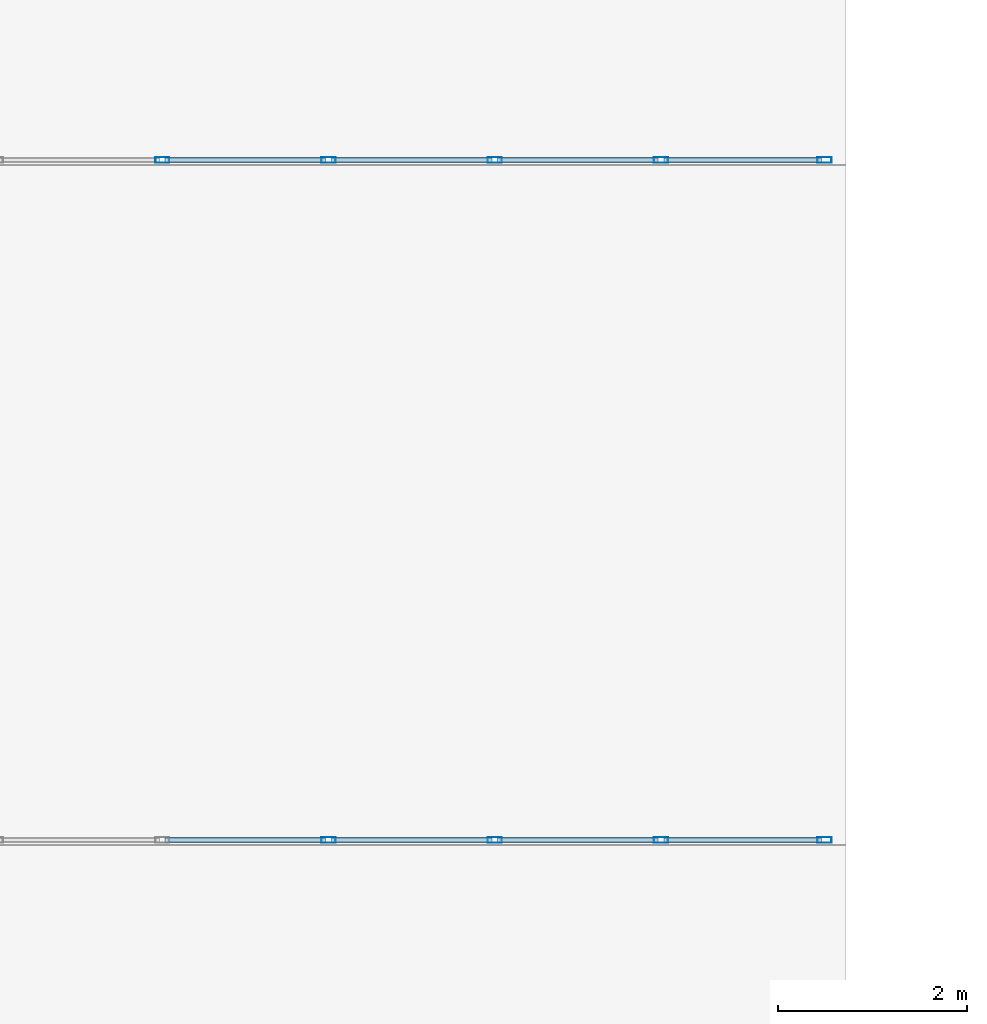
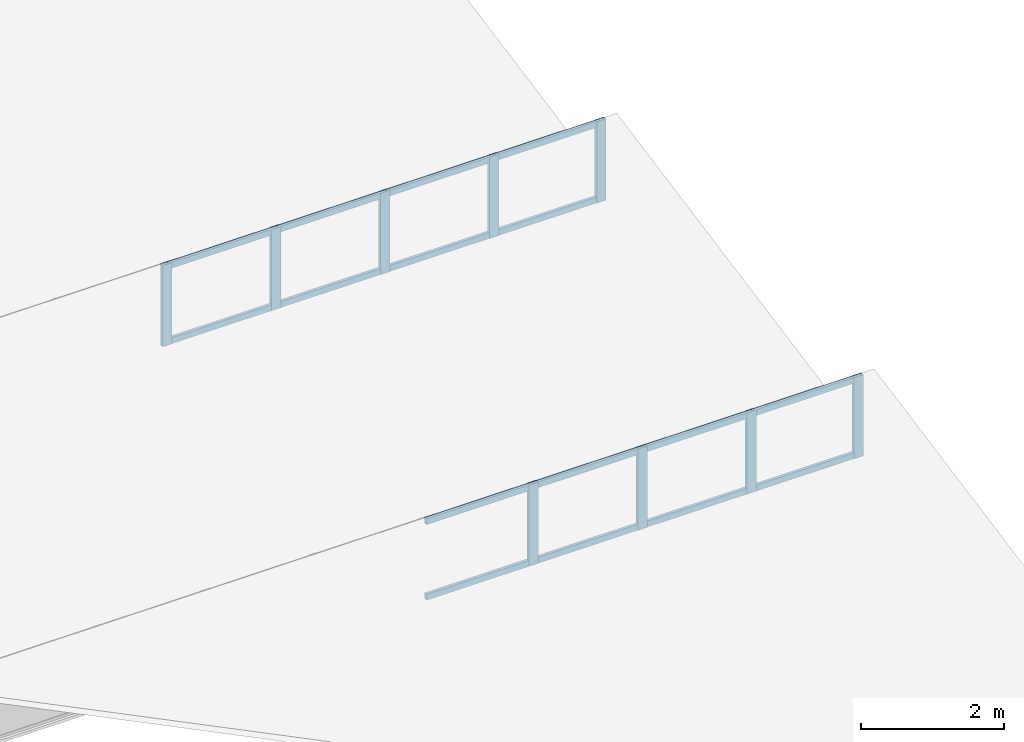
# One storey, part 43 of 101: 25 members, 2 elements without a shape of their own.
"""IFC4 building model written with IfcOpenShell, lengths in metres."""

from ifc_helpers import new_model, si_unit, direction, frame, origin, origin_2d, place, context, subcontext, project, spatial, hollow_rectangle, extrude, material, material_profile, profile_set, type_object, element, aggregate, save


model = new_model("IFC4")

# Units and contexts
model_context = context("Model", 3, precision=1e-05, world=origin(), true_north=direction((0.0, 1.0)))
body_context = subcontext(model_context, "Body", "Model", "MODEL_VIEW")
ifc_project = project(units=[si_unit("LENGTHUNIT", "METRE"), si_unit("AREAUNIT", "SQUARE_METRE"), si_unit("VOLUMEUNIT", "CUBIC_METRE"), si_unit("PLANEANGLEUNIT", "RADIAN"), si_unit("MASSUNIT", "GRAM", prefix="KILO")], contexts=[model_context])

# Site, building, storey
site_placement = place(None, origin())
site = spatial("IfcSite", under=ifc_project, at=site_placement, CompositionType="ELEMENT")
building_placement = place(site_placement, origin())
building = spatial("IfcBuilding", under=site, at=building_placement, Name="Laocheng Heights Fire and Rescue Headquarters", CompositionType="ELEMENT")
storey_placement = place(building_placement, frame((0.0, 0.0, 8.39990234375)))
storey = spatial("IfcBuildingStorey", under=building, at=storey_placement, Name="L02", CompositionType="ELEMENT", Elevation=8.39990234375)

# Curtain wall, members
ifc_material_1 = material(Name="Aluminium unitised curtain wall, low-e double glazing", Category="aluminium")
curtain_wall_type = type_object("IfcCurtainWallType", Name="CW 17600 x 1388 WORKSHOP UNIT", PredefinedType="NOTDEFINED", material=ifc_material_1)
curtain_wall_1_placement = place(storey_placement, origin())
curtain_wall_1 = element("IfcCurtainWall", 1, at=curtain_wall_1_placement, inside=storey, type_object=curtain_wall_type, Name="Sawtooth glazing tooth 1", PredefinedType="NOTDEFINED")
ifc_material_2 = material(Name="Aluminium 6063-T5 extrusion", Category="aluminium")
ifc_material_profile_1 = material_profile(ifc_material_2, hollow_rectangle(XDim=0.06005859375, YDim=0.14990234375, WallThickness=0.0029296875, at=origin_2d()), Name="AL MULLION 150x60x3")
ifc_profile_set_1 = profile_set([ifc_material_profile_1], Name="Aluminium 6063-T5 extrusion")
member_type_1 = type_object("IfcMemberType", Name="AL CURTAIN WALL MULLION 150x60x3 SAWTOOTH", PredefinedType="MULLION", material=ifc_profile_set_1)
member_1_placement = place(storey_placement, frame((120.52001953125, 7.260009765625, 0.01171875), z_axis=(0.0, 0.0, 1.0), x_axis=(0.0, 1.0, 0.0)))
member_1 = element("IfcMember", 2, at=member_1_placement, type_object=member_type_1, Name="X1-O mullion 8", PredefinedType="MULLION", context=body_context, shape_type="SweptSolid", body=[
    extrude(hollow_rectangle(XDim=0.06005859375, YDim=0.14990234375, WallThickness=0.0029296875, at=origin_2d()), origin(), (0.0, 0.0, 1.0), 1.388427734375),
])
member_2_placement = place(storey_placement, frame((122.280029296875, 7.260009765625, 0.01171875), z_axis=(0.0, 0.0, 1.0), x_axis=(0.0, 1.0, 0.0)))
member_2 = element("IfcMember", 3, at=member_2_placement, type_object=member_type_1, Name="X1-O mullion 9", PredefinedType="MULLION", context=body_context, shape_type="SweptSolid", body=[
    extrude(hollow_rectangle(XDim=0.06005859375, YDim=0.14990234375, WallThickness=0.0029296875, at=origin_2d()), origin(), (0.0, 0.0, 1.0), 1.388427734375),
])
member_3_placement = place(storey_placement, frame((124.0400390625, 7.260009765625, 0.01171875), z_axis=(0.0, 0.0, 1.0), x_axis=(0.0, 1.0, 0.0)))
member_3 = element("IfcMember", 4, at=member_3_placement, type_object=member_type_1, Name="X1-O mullion 10", PredefinedType="MULLION", context=body_context, shape_type="SweptSolid", body=[
    extrude(hollow_rectangle(XDim=0.06005859375, YDim=0.14990234375, WallThickness=0.0029296875, at=origin_2d()), origin(), (0.0, 0.0, 1.0), 1.388427734375),
])
member_4_placement = place(storey_placement, frame((125.77001953125, 7.260009765625, 0.01171875), z_axis=(0.0, 0.0, 1.0), x_axis=(0.0, 1.0, 0.0)))
member_4 = element("IfcMember", 5, at=member_4_placement, type_object=member_type_1, Name="X1-O mullion 11", PredefinedType="MULLION", context=body_context, shape_type="SweptSolid", body=[
    extrude(hollow_rectangle(XDim=0.06005859375, YDim=0.14990234375, WallThickness=0.0029296875, at=origin_2d()), origin(), (0.0, 0.0, 1.0), 1.388427734375),
])

curtain_wall_2_placement = place(storey_placement, origin())
curtain_wall_2 = element("IfcCurtainWall", 6, at=curtain_wall_2_placement, inside=storey, type_object=curtain_wall_type, Name="Sawtooth glazing tooth 2", PredefinedType="NOTDEFINED")
member_5_placement = place(storey_placement, frame((118.760009765625, 14.4599609375, 0.01171875), z_axis=(0.0, 0.0, 1.0), x_axis=(0.0, 1.0, 0.0)))
member_5 = element("IfcMember", 7, at=member_5_placement, type_object=member_type_1, Name="X1-O mullion 7", PredefinedType="MULLION", context=body_context, shape_type="SweptSolid", body=[
    extrude(hollow_rectangle(XDim=0.06005859375, YDim=0.14990234375, WallThickness=0.0029296875, at=origin_2d()), origin(), (0.0, 0.0, 1.0), 1.388427734375),
])
member_6_placement = place(storey_placement, frame((120.52001953125, 14.4599609375, 0.01171875), z_axis=(0.0, 0.0, 1.0), x_axis=(0.0, 1.0, 0.0)))
member_6 = element("IfcMember", 8, at=member_6_placement, type_object=member_type_1, Name="X1-O mullion 8", PredefinedType="MULLION", context=body_context, shape_type="SweptSolid", body=[
    extrude(hollow_rectangle(XDim=0.06005859375, YDim=0.14990234375, WallThickness=0.0029296875, at=origin_2d()), origin(), (0.0, 0.0, 1.0), 1.388427734375),
])
member_7_placement = place(storey_placement, frame((122.280029296875, 14.4599609375, 0.01171875), z_axis=(0.0, 0.0, 1.0), x_axis=(0.0, 1.0, 0.0)))
member_7 = element("IfcMember", 9, at=member_7_placement, type_object=member_type_1, Name="X1-O mullion 9", PredefinedType="MULLION", context=body_context, shape_type="SweptSolid", body=[
    extrude(hollow_rectangle(XDim=0.06005859375, YDim=0.14990234375, WallThickness=0.0029296875, at=origin_2d()), origin(), (0.0, 0.0, 1.0), 1.388427734375),
])
member_8_placement = place(storey_placement, frame((124.0400390625, 14.4599609375, 0.01171875), z_axis=(0.0, 0.0, 1.0), x_axis=(0.0, 1.0, 0.0)))
member_8 = element("IfcMember", 10, at=member_8_placement, type_object=member_type_1, Name="X1-O mullion 10", PredefinedType="MULLION", context=body_context, shape_type="SweptSolid", body=[
    extrude(hollow_rectangle(XDim=0.06005859375, YDim=0.14990234375, WallThickness=0.0029296875, at=origin_2d()), origin(), (0.0, 0.0, 1.0), 1.388427734375),
])
member_9_placement = place(storey_placement, frame((125.77001953125, 14.4599609375, 0.01171875), z_axis=(0.0, 0.0, 1.0), x_axis=(0.0, 1.0, 0.0)))
member_9 = element("IfcMember", 11, at=member_9_placement, type_object=member_type_1, Name="X1-O mullion 11", PredefinedType="MULLION", context=body_context, shape_type="SweptSolid", body=[
    extrude(hollow_rectangle(XDim=0.06005859375, YDim=0.14990234375, WallThickness=0.0029296875, at=origin_2d()), origin(), (0.0, 0.0, 1.0), 1.388427734375),
])

# Member
ifc_material_3 = material(Name="Aluminium 6063-T5 extrusion", Category="aluminium")
ifc_material_profile_2 = material_profile(ifc_material_3, hollow_rectangle(XDim=0.050048828125, YDim=0.10009765625, WallThickness=0.0029296875, at=origin_2d()), Name="AL TRANSOM 100x50x3")
ifc_profile_set_2 = profile_set([ifc_material_profile_2], Name="Aluminium 6063-T5 extrusion")
member_type_2 = type_object("IfcMemberType", Name="AL CURTAIN WALL TRANSOM 100x50x3 SAWTOOTH", PredefinedType="USERDEFINED", material=ifc_profile_set_2)
member_10_placement = place(storey_placement, frame((118.7900390625, 7.260009765625, 0.061767578125), z_axis=(1.0, 0.0, 0.0), x_axis=(0.0, 1.0, 0.0)))
member_10 = element("IfcMember", 12, at=member_10_placement, type_object=member_type_2, Name="X1-O transom 7.1", ObjectType="TRANSOM", PredefinedType="USERDEFINED", context=body_context, shape_type="SweptSolid", body=[
    extrude(hollow_rectangle(XDim=0.050048828125, YDim=0.10009765625, WallThickness=0.0029296875, at=origin_2d()), origin(), (0.0, 0.0, 1.0), 1.699951171875),
])

member_11_placement = place(storey_placement, frame((118.7900390625, 7.260009765625, 1.35009765625), z_axis=(1.0, 0.0, 0.0), x_axis=(0.0, 1.0, 0.0)))
member_11 = element("IfcMember", 13, at=member_11_placement, type_object=member_type_2, Name="X1-O transom 7.2", ObjectType="TRANSOM", PredefinedType="USERDEFINED", context=body_context, shape_type="SweptSolid", body=[
    extrude(hollow_rectangle(XDim=0.050048828125, YDim=0.10009765625, WallThickness=0.0029296875, at=origin_2d()), origin(), (0.0, 0.0, 1.0), 1.699951171875),
])

member_12_placement = place(storey_placement, frame((120.550048828125, 7.260009765625, 0.061767578125), z_axis=(1.0, 0.0, 0.0), x_axis=(0.0, 1.0, 0.0)))
member_12 = element("IfcMember", 14, at=member_12_placement, type_object=member_type_2, Name="X1-O transom 8.1", ObjectType="TRANSOM", PredefinedType="USERDEFINED", context=body_context, shape_type="SweptSolid", body=[
    extrude(hollow_rectangle(XDim=0.050048828125, YDim=0.10009765625, WallThickness=0.0029296875, at=origin_2d()), origin(), (0.0, 0.0, 1.0), 1.699951171875),
])

member_13_placement = place(storey_placement, frame((120.550048828125, 7.260009765625, 1.35009765625), z_axis=(1.0, 0.0, 0.0), x_axis=(0.0, 1.0, 0.0)))
member_13 = element("IfcMember", 15, at=member_13_placement, type_object=member_type_2, Name="X1-O transom 8.2", ObjectType="TRANSOM", PredefinedType="USERDEFINED", context=body_context, shape_type="SweptSolid", body=[
    extrude(hollow_rectangle(XDim=0.050048828125, YDim=0.10009765625, WallThickness=0.0029296875, at=origin_2d()), origin(), (0.0, 0.0, 1.0), 1.699951171875),
])

member_14_placement = place(storey_placement, frame((122.31005859375, 7.260009765625, 0.061767578125), z_axis=(1.0, 0.0, 0.0), x_axis=(0.0, 1.0, 0.0)))
member_14 = element("IfcMember", 16, at=member_14_placement, type_object=member_type_2, Name="X1-O transom 9.1", ObjectType="TRANSOM", PredefinedType="USERDEFINED", context=body_context, shape_type="SweptSolid", body=[
    extrude(hollow_rectangle(XDim=0.050048828125, YDim=0.10009765625, WallThickness=0.0029296875, at=origin_2d()), origin(), (0.0, 0.0, 1.0), 1.699951171875),
])

member_15_placement = place(storey_placement, frame((122.31005859375, 7.260009765625, 1.35009765625), z_axis=(1.0, 0.0, 0.0), x_axis=(0.0, 1.0, 0.0)))
member_15 = element("IfcMember", 17, at=member_15_placement, type_object=member_type_2, Name="X1-O transom 9.2", ObjectType="TRANSOM", PredefinedType="USERDEFINED", context=body_context, shape_type="SweptSolid", body=[
    extrude(hollow_rectangle(XDim=0.050048828125, YDim=0.10009765625, WallThickness=0.0029296875, at=origin_2d()), origin(), (0.0, 0.0, 1.0), 1.699951171875),
])

member_16_placement = place(storey_placement, frame((124.070068359375, 7.260009765625, 0.061767578125), z_axis=(1.0, 0.0, 0.0), x_axis=(0.0, 1.0, 0.0)))
member_16 = element("IfcMember", 18, at=member_16_placement, type_object=member_type_2, Name="X1-O transom 10.1", ObjectType="TRANSOM", PredefinedType="USERDEFINED", context=body_context, shape_type="SweptSolid", body=[
    extrude(hollow_rectangle(XDim=0.050048828125, YDim=0.10009765625, WallThickness=0.0029296875, at=origin_2d()), origin(), (0.0, 0.0, 1.0), 1.669921875),
])

member_17_placement = place(storey_placement, frame((124.070068359375, 7.260009765625, 1.35009765625), z_axis=(1.0, 0.0, 0.0), x_axis=(0.0, 1.0, 0.0)))
member_17 = element("IfcMember", 19, at=member_17_placement, type_object=member_type_2, Name="X1-O transom 10.2", ObjectType="TRANSOM", PredefinedType="USERDEFINED", context=body_context, shape_type="SweptSolid", body=[
    extrude(hollow_rectangle(XDim=0.050048828125, YDim=0.10009765625, WallThickness=0.0029296875, at=origin_2d()), origin(), (0.0, 0.0, 1.0), 1.669921875),
])

aggregate(curtain_wall_1, [member_1, member_2, member_3, member_4, member_10, member_11, member_12, member_13, member_14, member_15, member_16, member_17])

member_18_placement = place(storey_placement, frame((118.7900390625, 14.4599609375, 0.061767578125), z_axis=(1.0, 0.0, 0.0), x_axis=(0.0, 1.0, 0.0)))
member_18 = element("IfcMember", 20, at=member_18_placement, type_object=member_type_2, Name="X1-O transom 7.1", ObjectType="TRANSOM", PredefinedType="USERDEFINED", context=body_context, shape_type="SweptSolid", body=[
    extrude(hollow_rectangle(XDim=0.050048828125, YDim=0.10009765625, WallThickness=0.0029296875, at=origin_2d()), origin(), (0.0, 0.0, 1.0), 1.699951171875),
])

member_19_placement = place(storey_placement, frame((118.7900390625, 14.4599609375, 1.35009765625), z_axis=(1.0, 0.0, 0.0), x_axis=(0.0, 1.0, 0.0)))
member_19 = element("IfcMember", 21, at=member_19_placement, type_object=member_type_2, Name="X1-O transom 7.2", ObjectType="TRANSOM", PredefinedType="USERDEFINED", context=body_context, shape_type="SweptSolid", body=[
    extrude(hollow_rectangle(XDim=0.050048828125, YDim=0.10009765625, WallThickness=0.0029296875, at=origin_2d()), origin(), (0.0, 0.0, 1.0), 1.699951171875),
])

member_20_placement = place(storey_placement, frame((120.550048828125, 14.4599609375, 0.061767578125), z_axis=(1.0, 0.0, 0.0), x_axis=(0.0, 1.0, 0.0)))
member_20 = element("IfcMember", 22, at=member_20_placement, type_object=member_type_2, Name="X1-O transom 8.1", ObjectType="TRANSOM", PredefinedType="USERDEFINED", context=body_context, shape_type="SweptSolid", body=[
    extrude(hollow_rectangle(XDim=0.050048828125, YDim=0.10009765625, WallThickness=0.0029296875, at=origin_2d()), origin(), (0.0, 0.0, 1.0), 1.699951171875),
])

member_21_placement = place(storey_placement, frame((120.550048828125, 14.4599609375, 1.35009765625), z_axis=(1.0, 0.0, 0.0), x_axis=(0.0, 1.0, 0.0)))
member_21 = element("IfcMember", 23, at=member_21_placement, type_object=member_type_2, Name="X1-O transom 8.2", ObjectType="TRANSOM", PredefinedType="USERDEFINED", context=body_context, shape_type="SweptSolid", body=[
    extrude(hollow_rectangle(XDim=0.050048828125, YDim=0.10009765625, WallThickness=0.0029296875, at=origin_2d()), origin(), (0.0, 0.0, 1.0), 1.699951171875),
])

member_22_placement = place(storey_placement, frame((122.31005859375, 14.4599609375, 0.061767578125), z_axis=(1.0, 0.0, 0.0), x_axis=(0.0, 1.0, 0.0)))
member_22 = element("IfcMember", 24, at=member_22_placement, type_object=member_type_2, Name="X1-O transom 9.1", ObjectType="TRANSOM", PredefinedType="USERDEFINED", context=body_context, shape_type="SweptSolid", body=[
    extrude(hollow_rectangle(XDim=0.050048828125, YDim=0.10009765625, WallThickness=0.0029296875, at=origin_2d()), origin(), (0.0, 0.0, 1.0), 1.699951171875),
])

member_23_placement = place(storey_placement, frame((122.31005859375, 14.4599609375, 1.35009765625), z_axis=(1.0, 0.0, 0.0), x_axis=(0.0, 1.0, 0.0)))
member_23 = element("IfcMember", 25, at=member_23_placement, type_object=member_type_2, Name="X1-O transom 9.2", ObjectType="TRANSOM", PredefinedType="USERDEFINED", context=body_context, shape_type="SweptSolid", body=[
    extrude(hollow_rectangle(XDim=0.050048828125, YDim=0.10009765625, WallThickness=0.0029296875, at=origin_2d()), origin(), (0.0, 0.0, 1.0), 1.699951171875),
])

member_24_placement = place(storey_placement, frame((124.070068359375, 14.4599609375, 0.061767578125), z_axis=(1.0, 0.0, 0.0), x_axis=(0.0, 1.0, 0.0)))
member_24 = element("IfcMember", 26, at=member_24_placement, type_object=member_type_2, Name="X1-O transom 10.1", ObjectType="TRANSOM", PredefinedType="USERDEFINED", context=body_context, shape_type="SweptSolid", body=[
    extrude(hollow_rectangle(XDim=0.050048828125, YDim=0.10009765625, WallThickness=0.0029296875, at=origin_2d()), origin(), (0.0, 0.0, 1.0), 1.669921875),
])

member_25_placement = place(storey_placement, frame((124.070068359375, 14.4599609375, 1.35009765625), z_axis=(1.0, 0.0, 0.0), x_axis=(0.0, 1.0, 0.0)))
member_25 = element("IfcMember", 27, at=member_25_placement, type_object=member_type_2, Name="X1-O transom 10.2", ObjectType="TRANSOM", PredefinedType="USERDEFINED", context=body_context, shape_type="SweptSolid", body=[
    extrude(hollow_rectangle(XDim=0.050048828125, YDim=0.10009765625, WallThickness=0.0029296875, at=origin_2d()), origin(), (0.0, 0.0, 1.0), 1.669921875),
])

aggregate(curtain_wall_2, [member_5, member_6, member_7, member_8, member_9, member_18, member_19, member_20, member_21, member_22, member_23, member_24, member_25])

save(model, "model.ifc")
